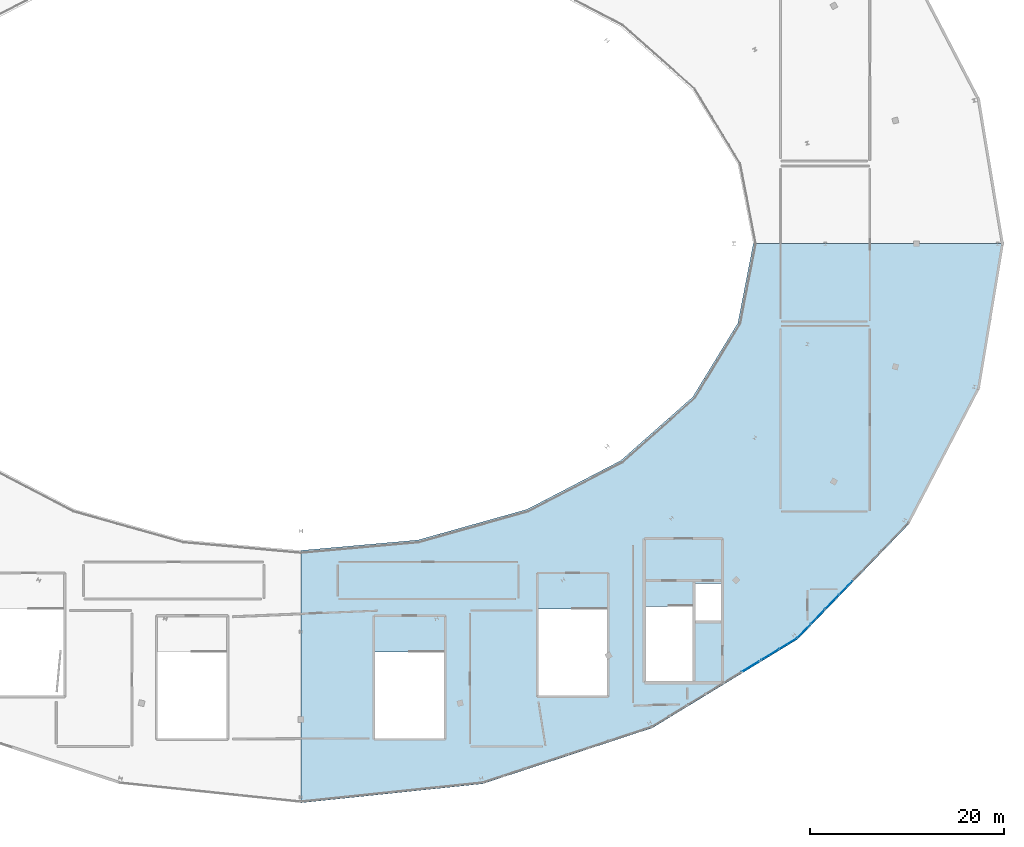
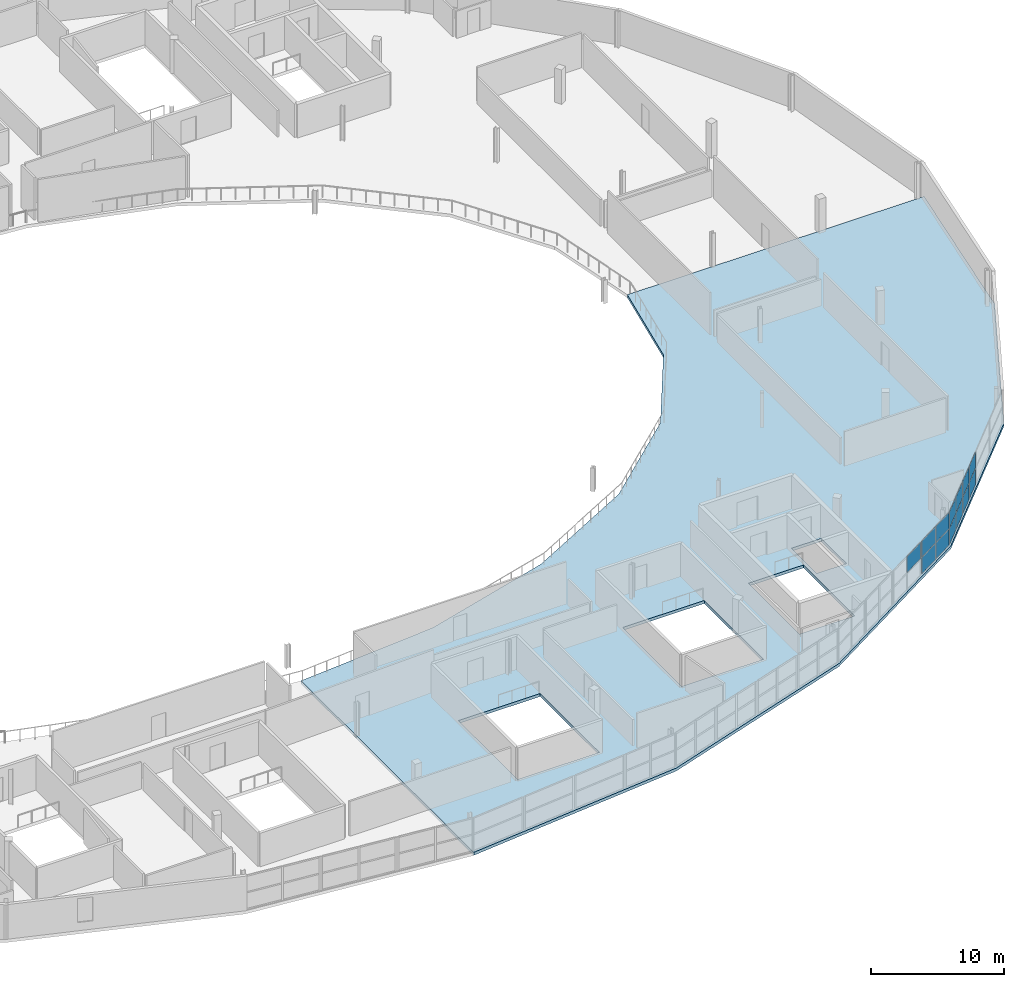
# One storey, part 23 of 35: 13 plates, 1 slab, 4 elements without a shape of their own.
"""IFC4 building model written with IfcOpenShell, lengths in metres."""

from ifc_helpers import new_model, si_unit, direction, frame, origin, origin_2d, place, context, subcontext, project, spatial, polyline, rectangle, outline, extrude, material, layer, layer_set, type_object, element, aggregate, save


model = new_model("IFC4")

# Units and contexts
model_context = context("Model", 3, precision=1e-05, world=origin(), true_north=direction((0.0, 1.0)))
body_context = subcontext(model_context, "Body", "Model", "MODEL_VIEW")
ifc_project = project(units=[si_unit("LENGTHUNIT", "METRE"), si_unit("AREAUNIT", "SQUARE_METRE"), si_unit("VOLUMEUNIT", "CUBIC_METRE"), si_unit("PLANEANGLEUNIT", "RADIAN"), si_unit("MASSUNIT", "GRAM", prefix="KILO")], contexts=[model_context])

# Site, building, storey
site_placement = place(None, origin())
site = spatial("IfcSite", under=ifc_project, at=site_placement, CompositionType="ELEMENT")
building_placement = place(site_placement, origin())
building = spatial("IfcBuilding", under=site, at=building_placement, Name="Kalgoora Escarpment Arena", CompositionType="ELEMENT")
storey_placement = place(building_placement, frame((0.0, 0.0, 23.39990234375)))
storey = spatial("IfcBuildingStorey", under=building, at=storey_placement, Name="L05", CompositionType="ELEMENT", Elevation=23.39990234375)

# Curtain wall, plates
ifc_material_1 = material(Name=" Champagne anodised aluminium & double-glazed low-E", Category="aluminium")
ifc_layer_1 = layer(ifc_material_1, 0.154052734375)
ifc_layer_set_1 = layer_set([ifc_layer_1], Name="CW-UNIT-01")
curtain_wall_type_1 = type_object("IfcCurtainWallType", Name="CW-UNIT-01", PredefinedType="NOTDEFINED", material=ifc_layer_set_1)
curtain_wall_1_placement = place(storey_placement, origin())
curtain_wall_1 = element("IfcCurtainWall", 1, at=curtain_wall_1_placement, inside=storey, type_object=curtain_wall_type_1, Name="L05 unitised facade curtain wall 180", PredefinedType="NOTDEFINED")
ifc_material_2 = material(Name="Low-E double-glazed insulated glass", Category="glass")
ifc_layer_2 = layer(ifc_material_2, 0.028076171875)
ifc_layer_set_2 = layer_set([ifc_layer_2], Name="PLT-CW-GLAZ-28")
plate_type_1 = type_object("IfcPlateType", Name="PLT-CW-GLAZ-28", PredefinedType="CURTAIN_PANEL", material=ifc_layer_set_2)
plate_1_placement = place(storey_placement, frame((148.51318359375, 28.543212890625, 0.080078125), z_axis=(0.0, 0.0, 1.0), x_axis=(-0.694205135116, -0.719777208849, 0.0)))
plate_1 = element("IfcPlate", 2, at=plate_1_placement, type_object=plate_type_1, Name="CW-01 panel 1.1", PredefinedType="CURTAIN_PANEL", context=body_context, shape_type="SweptSolid", body=[
    extrude(rectangle(XDim=1.92431640625, YDim=0.028076171875, at=origin_2d()), origin(), (0.0, 0.0, 1.0), 1.47998046875),
])
plate_2_placement = place(storey_placement, frame((148.51318359375, 28.543212890625, 1.6201171875), z_axis=(0.0, 0.0, 1.0), x_axis=(-0.694205135116, -0.719777208849, 0.0)))
plate_2 = element("IfcPlate", 3, at=plate_2_placement, type_object=plate_type_1, Name="CW-01 panel 1.2", PredefinedType="CURTAIN_PANEL", context=body_context, shape_type="SweptSolid", body=[
    extrude(rectangle(XDim=1.92431640625, YDim=0.028076171875, at=origin_2d()), origin(), (0.0, 0.0, 1.0), 1.4599609375),
])
plate_3_placement = place(storey_placement, frame((147.13232421875, 27.111572265625, 0.080078125), z_axis=(0.0, 0.0, 1.0), x_axis=(-0.694205135116, -0.719777208849, 0.0)))
plate_3 = element("IfcPlate", 4, at=plate_3_placement, type_object=plate_type_1, Name="CW-01 panel 2.1", PredefinedType="CURTAIN_PANEL", context=body_context, shape_type="SweptSolid", body=[
    extrude(rectangle(XDim=1.92431640625, YDim=0.028076171875, at=origin_2d()), origin(), (0.0, 0.0, 1.0), 1.47998046875),
])
plate_4_placement = place(storey_placement, frame((147.13232421875, 27.111572265625, 1.6201171875), z_axis=(0.0, 0.0, 1.0), x_axis=(-0.694205135116, -0.719777208849, 0.0)))
plate_4 = element("IfcPlate", 5, at=plate_4_placement, type_object=plate_type_1, Name="CW-01 panel 2.2", PredefinedType="CURTAIN_PANEL", context=body_context, shape_type="SweptSolid", body=[
    extrude(rectangle(XDim=1.92431640625, YDim=0.028076171875, at=origin_2d()), origin(), (0.0, 0.0, 1.0), 1.4599609375),
])
aggregate(curtain_wall_1, [plate_1, plate_2, plate_3, plate_4])

ifc_material_3 = material(Name=" Champagne anodised aluminium & double-glazed low-E", Category="aluminium")
ifc_layer_3 = layer(ifc_material_3, 0.162109375)
ifc_layer_set_3 = layer_set([ifc_layer_3], Name="CW-UNIT-03")
curtain_wall_type_2 = type_object("IfcCurtainWallType", Name="CW-UNIT-03", PredefinedType="NOTDEFINED", material=ifc_layer_set_3)
curtain_wall_2_placement = place(storey_placement, origin())
curtain_wall_2 = element("IfcCurtainWall", 6, at=curtain_wall_2_placement, inside=storey, type_object=curtain_wall_type_2, Name="L05 unitised facade curtain wall 182", PredefinedType="NOTDEFINED")
plate_5_placement = place(storey_placement, frame((142.57958984375, 22.79150390625, 0.080078125), z_axis=(0.0, 0.0, 1.0), x_axis=(-0.85353235978, -0.521039836105, 0.0)))
plate_5 = element("IfcPlate", 7, at=plate_5_placement, type_object=plate_type_1, Name="CW-03 panel 1.1", PredefinedType="CURTAIN_PANEL", context=body_context, shape_type="SweptSolid", body=[
    extrude(rectangle(XDim=2.10205078125, YDim=0.028076171875, at=origin_2d()), origin(), (0.0, 0.0, 1.0), 1.47998046875),
])
plate_6_placement = place(storey_placement, frame((142.57958984375, 22.79150390625, 1.6201171875), z_axis=(0.0, 0.0, 1.0), x_axis=(-0.85353235978, -0.521039836105, 0.0)))
plate_6 = element("IfcPlate", 8, at=plate_6_placement, type_object=plate_type_1, Name="CW-03 panel 1.2", PredefinedType="CURTAIN_PANEL", context=body_context, shape_type="SweptSolid", body=[
    extrude(rectangle(XDim=2.10205078125, YDim=0.028076171875, at=origin_2d()), origin(), (0.0, 0.0, 1.0), 1.4599609375),
])
plate_7_placement = place(storey_placement, frame((140.72998046875, 21.662353515625, 0.080078125), z_axis=(0.0, 0.0, 1.0), x_axis=(-0.85353235978, -0.521039836105, 0.0)))
plate_7 = element("IfcPlate", 9, at=plate_7_placement, type_object=plate_type_1, Name="CW-03 panel 2.1", PredefinedType="CURTAIN_PANEL", context=body_context, shape_type="SweptSolid", body=[
    extrude(rectangle(XDim=2.10205078125, YDim=0.028076171875, at=origin_2d()), origin(), (0.0, 0.0, 1.0), 1.47998046875),
])
plate_8_placement = place(storey_placement, frame((140.72998046875, 21.662353515625, 1.6201171875), z_axis=(0.0, 0.0, 1.0), x_axis=(-0.85353235978, -0.521039836105, 0.0)))
plate_8 = element("IfcPlate", 10, at=plate_8_placement, type_object=plate_type_1, Name="CW-03 panel 2.2", PredefinedType="CURTAIN_PANEL", context=body_context, shape_type="SweptSolid", body=[
    extrude(rectangle(XDim=2.10205078125, YDim=0.028076171875, at=origin_2d()), origin(), (0.0, 0.0, 1.0), 1.4599609375),
])
aggregate(curtain_wall_2, [plate_5, plate_6, plate_7, plate_8])

ifc_material_4 = material(Name=" Champagne anodised aluminium & double-glazed low-E", Category="aluminium")
ifc_layer_4 = layer(ifc_material_4, 0.157958984375)
ifc_layer_set_4 = layer_set([ifc_layer_4], Name="CW-UNIT-02")
curtain_wall_type_3 = type_object("IfcCurtainWallType", Name="CW-UNIT-02", PredefinedType="NOTDEFINED", material=ifc_layer_set_4)
curtain_wall_3_placement = place(storey_placement, origin())
curtain_wall_3 = element("IfcCurtainWall", 11, at=curtain_wall_3_placement, inside=storey, type_object=curtain_wall_type_3, Name="L05 unitised facade curtain wall 181", PredefinedType="NOTDEFINED")
ifc_material_5 = material(Name="Acoustic laminated solar-control glass", Category="glass")
ifc_layer_5 = layer(ifc_material_5, 0.033935546875)
ifc_layer_set_5 = layer_set([ifc_layer_5], Name="PLT-CW-GLAZ-34")
plate_type_2 = type_object("IfcPlateType", Name="PLT-CW-GLAZ-34", PredefinedType="CURTAIN_PANEL", material=ifc_layer_set_5)
plate_9_placement = place(storey_placement, frame((145.628173828125, 25.552001953125, 0.080078125), z_axis=(0.0, 0.0, 1.0), x_axis=(-0.69420247723, -0.719779772297, 0.0)))
plate_9 = element("IfcPlate", 12, at=plate_9_placement, type_object=plate_type_2, Name="CW-02 panel 1.1", PredefinedType="CURTAIN_PANEL", context=body_context, shape_type="SweptSolid", body=[
    extrude(rectangle(XDim=1.94921875, YDim=0.033935546875, at=origin_2d()), origin(), (0.0, 0.0, 1.0), 1.47998046875),
])
plate_10_placement = place(storey_placement, frame((145.628173828125, 25.552001953125, 1.6201171875), z_axis=(0.0, 0.0, 1.0), x_axis=(-0.69420247723, -0.719779772297, 0.0)))
plate_10 = element("IfcPlate", 13, at=plate_10_placement, type_object=plate_type_2, Name="CW-02 panel 1.2", PredefinedType="CURTAIN_PANEL", context=body_context, shape_type="SweptSolid", body=[
    extrude(rectangle(XDim=1.94921875, YDim=0.033935546875, at=origin_2d()), origin(), (0.0, 0.0, 1.0), 1.4599609375),
])
plate_11_placement = place(storey_placement, frame((144.229736328125, 24.102294921875, 0.080078125), z_axis=(0.0, 0.0, 1.0), x_axis=(-0.69420247723, -0.719779772297, 0.0)))
plate_11 = element("IfcPlate", 14, at=plate_11_placement, type_object=plate_type_2, Name="CW-02 panel 2.1", PredefinedType="CURTAIN_PANEL", context=body_context, shape_type="SweptSolid", body=[
    extrude(rectangle(XDim=1.94921875, YDim=0.033935546875, at=origin_2d()), origin(), (0.0, 0.0, 1.0), 1.47998046875),
])
plate_12_placement = place(storey_placement, frame((144.229736328125, 24.102294921875, 1.6201171875), z_axis=(0.0, 0.0, 1.0), x_axis=(-0.69420247723, -0.719779772297, 0.0)))
plate_12 = element("IfcPlate", 15, at=plate_12_placement, type_object=plate_type_2, Name="CW-02 panel 2.2", PredefinedType="CURTAIN_PANEL", context=body_context, shape_type="SweptSolid", body=[
    extrude(rectangle(XDim=1.94921875, YDim=0.033935546875, at=origin_2d()), origin(), (0.0, 0.0, 1.0), 1.4599609375),
])
aggregate(curtain_wall_3, [plate_9, plate_10, plate_11, plate_12])

# Curtain wall, plate
ifc_material_6 = material(Name=" Champagne anodised aluminium & double-glazed low-E", Category="aluminium")
ifc_layer_6 = layer(ifc_material_6, 0.166015625)
ifc_layer_set_6 = layer_set([ifc_layer_6], Name="CW-UNIT-04")
curtain_wall_type_4 = type_object("IfcCurtainWallType", Name="CW-UNIT-04", PredefinedType="NOTDEFINED", material=ifc_layer_set_6)
curtain_wall_4_placement = place(storey_placement, origin())
curtain_wall_4 = element("IfcCurtainWall", 16, at=curtain_wall_4_placement, inside=storey, type_object=curtain_wall_type_4, Name="L05 unitised facade curtain wall 183", PredefinedType="NOTDEFINED")
plate_13_placement = place(storey_placement, frame((138.739501953125, 20.447509765625, 1.6201171875), z_axis=(0.0, 0.0, 1.0), x_axis=(-0.853516077733, -0.52106650732, 0.0)))
plate_13 = element("IfcPlate", 17, at=plate_13_placement, type_object=plate_type_2, Name="CW-04 panel 1.2", PredefinedType="CURTAIN_PANEL", context=body_context, shape_type="SweptSolid", body=[
    extrude(rectangle(XDim=2.10205078125, YDim=0.033935546875, at=origin_2d()), origin(), (0.0, 0.0, 1.0), 1.4599609375),
])
aggregate(curtain_wall_4, [plate_13])

# Slab
ifc_material_7 = material(Name="Concrete N40 (fc' 40 MPa)", Category="concrete")
ifc_layer_7 = layer(ifc_material_7, 0.27001953125)
ifc_layer_set_7 = layer_set([ifc_layer_7], Name="SLB-CONC-270")
slab_type = type_object("IfcSlabType", Name="SLB-CONC-270", PredefinedType="FLOOR", material=ifc_layer_set_7)
slab_placement = place(storey_placement, frame((0.0, 0.0, -0.27001953125)))
element("IfcSlab", 18, at=slab_placement, inside=storey, type_object=slab_type, Name="L05 concourse ring SE floor slab", PredefinedType="FLOOR", context=body_context, shape_type="SweptSolid", body=[
    extrude(outline(polyline([(128.60009765625, 14.116943359375), (111.138427734375, 8.36279296875), (92.39990234375, 6.39990234375), (92.39990234375, 32.39990234375), (104.4609375, 33.476806640625), (115.699951171875, 36.633544921875), (125.351318359375, 41.655517578125), (132.7568359375, 48.199951171875), (137.412109375, 55.8212890625), (139.0, 64.0), (164.800048828125, 64.0), (162.3330078125, 49.092041015625), (155.10009765625, 35.199951171875), (143.594482421875, 23.2705078125), (128.60009765625, 14.116943359375)]), holes=[polyline([(100.050048828125, 21.949951171875), (100.050048828125, 13.050048828125), (107.14990234375, 13.050048828125), (107.14990234375, 21.949951171875), (100.050048828125, 21.949951171875)]), polyline([(116.85009765625, 26.35009765625), (116.85009765625, 17.449951171875), (123.949951171875, 17.449951171875), (123.949951171875, 26.35009765625), (116.85009765625, 26.35009765625)]), polyline([(127.949951171875, 26.64990234375), (127.949951171875, 18.949951171875), (132.75, 18.949951171875), (132.75, 26.64990234375), (127.949951171875, 26.64990234375)]), polyline([(133.050048828125, 29.0), (133.050048828125, 25.199951171875), (135.64990234375, 25.199951171875), (135.64990234375, 29.0), (133.050048828125, 29.0)])]), origin(), (0.0, 0.0, 1.0), 0.27001953125),
])

save(model, "model.ifc")
